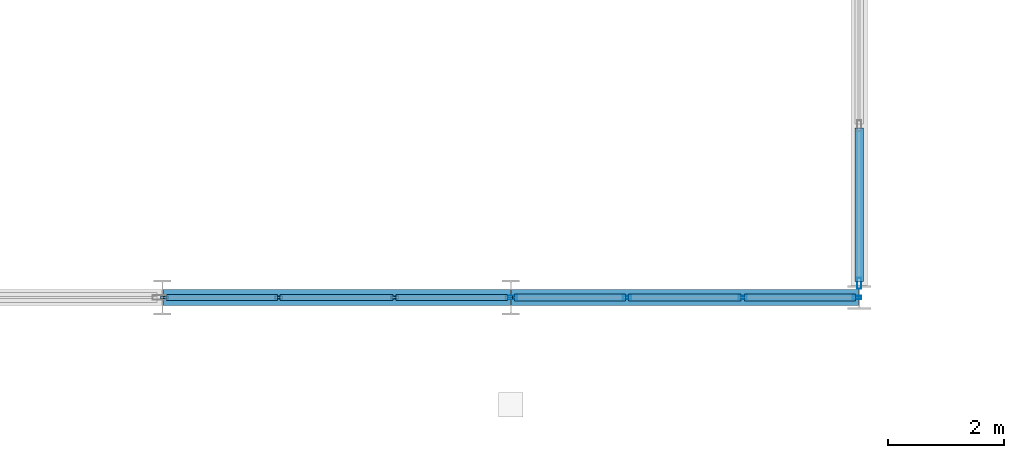
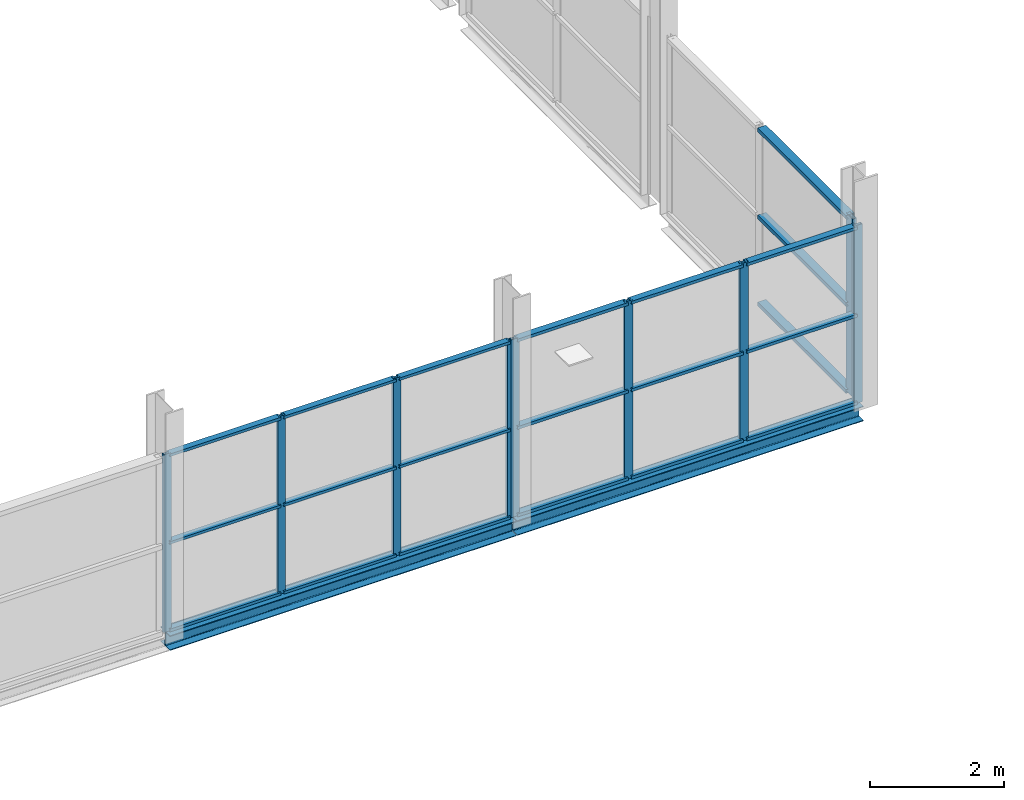
# One storey, part 31 of 135: 30 members, 2 beams, 3 elements without a shape of their own.
"""IFC4 building model written with IfcOpenShell, lengths in metres."""

from ifc_helpers import new_model, si_unit, direction, frame, origin, origin_2d, place, context, subcontext, project, spatial, hollow_rectangle, i_section, extrude, material, layer, layer_set, material_profile, profile_set, type_object, element, aggregate, save


model = new_model("IFC4")

# Units and contexts
model_context = context("Model", 3, precision=1e-05, world=origin(), true_north=direction((0.0, 1.0)))
body_context = subcontext(model_context, "Body", "Model", "MODEL_VIEW")
ifc_project = project(units=[si_unit("LENGTHUNIT", "METRE"), si_unit("AREAUNIT", "SQUARE_METRE"), si_unit("VOLUMEUNIT", "CUBIC_METRE"), si_unit("PLANEANGLEUNIT", "RADIAN"), si_unit("MASSUNIT", "GRAM", prefix="KILO")], contexts=[model_context])

# Site, building, storey
site_placement = place(None, origin())
site = spatial("IfcSite", under=ifc_project, at=site_placement, CompositionType="ELEMENT")
building_placement = place(site_placement, origin())
building = spatial("IfcBuilding", under=site, at=building_placement, Name="Deido Ridge Mobility Hub", CompositionType="ELEMENT")
storey_placement = place(building_placement, frame((0.0, 0.0, 4.199951171875)))
storey = spatial("IfcBuildingStorey", under=building, at=storey_placement, Name="L01", CompositionType="ELEMENT", Elevation=4.199951171875)

# Curtain wall, members
ifc_material_1 = material(Name="Anodised aluminium EN AW-6063 T6", Category="aluminium")
ifc_layer_1 = layer(ifc_material_1, 0.1650390625, Name="Anodised aluminium EN AW-6063 T6")
ifc_layer_set_1 = layer_set([ifc_layer_1], Name="Anodised aluminium EN AW-6063 T6")
curtain_wall_type_1 = type_object("IfcCurtainWallType", Name="CW-UF-1", PredefinedType="USERDEFINED", material=ifc_layer_set_1)
curtain_wall_1_placement = place(storey_placement, origin())
curtain_wall_1 = element("IfcCurtainWall", 1, at=curtain_wall_1_placement, inside=storey, type_object=curtain_wall_type_1, Name="Unitised curtain wall CW1", ObjectType="UNITISED FACADE", PredefinedType="USERDEFINED")
ifc_material_profile_1 = material_profile(ifc_material_1, hollow_rectangle(XDim=0.050048828125, YDim=0.1298828125, WallThickness=0.00390625, at=origin_2d()), Name="RHS 50x130x4")
ifc_profile_set_1 = profile_set([ifc_material_profile_1], Name="Anodised aluminium EN AW-6063 T6")
member_type_1 = type_object("IfcMemberType", Name="MEM-MUL-50X130", PredefinedType="MULLION", material=ifc_profile_set_1)
member_1_placement = place(storey_placement, frame((48.03271484375, 0.0, 0.0), z_axis=(0.0, 0.0, 1.0), x_axis=(0.0, 1.0, 0.0)))
member_1 = element("IfcMember", 2, at=member_1_placement, type_object=member_type_1, Name="CW1 mullion 1", PredefinedType="MULLION", context=body_context, shape_type="SweptSolid", body=[
    extrude(hollow_rectangle(XDim=0.050048828125, YDim=0.1298828125, WallThickness=0.00390625, at=origin_2d()), origin(), (0.0, 0.0, 1.0), 3.25),
])
member_2_placement = place(storey_placement, frame((50.002685546875, 0.0, 0.0), z_axis=(0.0, 0.0, 1.0), x_axis=(0.0, 1.0, 0.0)))
member_2 = element("IfcMember", 3, at=member_2_placement, type_object=member_type_1, Name="CW1 mullion 2", PredefinedType="MULLION", context=body_context, shape_type="SweptSolid", body=[
    extrude(hollow_rectangle(XDim=0.050048828125, YDim=0.1298828125, WallThickness=0.00390625, at=origin_2d()), origin(), (0.0, 0.0, 1.0), 3.25),
])
member_3_placement = place(storey_placement, frame((51.997314453125, 0.0, 0.0), z_axis=(0.0, 0.0, 1.0), x_axis=(0.0, 1.0, 0.0)))
member_3 = element("IfcMember", 4, at=member_3_placement, type_object=member_type_1, Name="CW1 mullion 3", PredefinedType="MULLION", context=body_context, shape_type="SweptSolid", body=[
    extrude(hollow_rectangle(XDim=0.050048828125, YDim=0.1298828125, WallThickness=0.00390625, at=origin_2d()), origin(), (0.0, 0.0, 1.0), 3.25),
])
member_4_placement = place(storey_placement, frame((53.96728515625, 0.0, 0.0), z_axis=(0.0, 0.0, 1.0), x_axis=(0.0, 1.0, 0.0)))
member_4 = element("IfcMember", 5, at=member_4_placement, type_object=member_type_1, Name="CW1 mullion 4", PredefinedType="MULLION", context=body_context, shape_type="SweptSolid", body=[
    extrude(hollow_rectangle(XDim=0.050048828125, YDim=0.1298828125, WallThickness=0.00390625, at=origin_2d()), origin(), (0.0, 0.0, 1.0), 3.25),
])

ifc_layer_2 = layer(ifc_material_1, 0.179931640625, Name="Anodised aluminium EN AW-6063 T6")
ifc_layer_set_2 = layer_set([ifc_layer_2], Name="Anodised aluminium EN AW-6063 T6")
curtain_wall_type_2 = type_object("IfcCurtainWallType", Name="CW-UF-2", PredefinedType="USERDEFINED", material=ifc_layer_set_2)
curtain_wall_2_placement = place(storey_placement, origin())
curtain_wall_2 = element("IfcCurtainWall", 6, at=curtain_wall_2_placement, inside=storey, type_object=curtain_wall_type_2, Name="Unitised curtain wall CW2", ObjectType="UNITISED FACADE", PredefinedType="USERDEFINED")
ifc_material_profile_2 = material_profile(ifc_material_1, hollow_rectangle(XDim=0.054931640625, YDim=0.14501953125, WallThickness=0.00390625, at=origin_2d()), Name="RHS 55x145x4")
ifc_profile_set_2 = profile_set([ifc_material_profile_2], Name="Anodised aluminium EN AW-6063 T6")
member_type_2 = type_object("IfcMemberType", Name="MEM-MUL-55X145", PredefinedType="MULLION", material=ifc_profile_set_2)
member_5_placement = place(storey_placement, frame((54.035400390625, 0.0, 0.0), z_axis=(0.0, 0.0, 1.0), x_axis=(0.0, 1.0, 0.0)))
member_5 = element("IfcMember", 7, at=member_5_placement, type_object=member_type_2, Name="CW2 mullion 1", PredefinedType="MULLION", context=body_context, shape_type="SweptSolid", body=[
    extrude(hollow_rectangle(XDim=0.054931640625, YDim=0.14501953125, WallThickness=0.00390625, at=origin_2d()), origin(), (0.0, 0.0, 1.0), 3.25),
])
member_6_placement = place(storey_placement, frame((56.001220703125, 0.0, 0.0), z_axis=(0.0, 0.0, 1.0), x_axis=(0.0, 1.0, 0.0)))
member_6 = element("IfcMember", 8, at=member_6_placement, type_object=member_type_2, Name="CW2 mullion 2", PredefinedType="MULLION", context=body_context, shape_type="SweptSolid", body=[
    extrude(hollow_rectangle(XDim=0.054931640625, YDim=0.14501953125, WallThickness=0.00390625, at=origin_2d()), origin(), (0.0, 0.0, 1.0), 3.25),
])
member_7_placement = place(storey_placement, frame((57.99462890625, 0.0, 0.0), z_axis=(0.0, 0.0, 1.0), x_axis=(0.0, 1.0, 0.0)))
member_7 = element("IfcMember", 9, at=member_7_placement, type_object=member_type_2, Name="CW2 mullion 3", PredefinedType="MULLION", context=body_context, shape_type="SweptSolid", body=[
    extrude(hollow_rectangle(XDim=0.054931640625, YDim=0.14501953125, WallThickness=0.00390625, at=origin_2d()), origin(), (0.0, 0.0, 1.0), 3.25),
])
member_8_placement = place(storey_placement, frame((59.96044921875, 0.0, 0.0), z_axis=(0.0, 0.0, 1.0), x_axis=(0.0, 1.0, 0.0)))
member_8 = element("IfcMember", 10, at=member_8_placement, type_object=member_type_2, Name="CW2 mullion 4", PredefinedType="MULLION", context=body_context, shape_type="SweptSolid", body=[
    extrude(hollow_rectangle(XDim=0.054931640625, YDim=0.14501953125, WallThickness=0.00390625, at=origin_2d()), origin(), (0.0, 0.0, 1.0), 3.25),
])

# Curtain wall, member
ifc_layer_3 = layer(ifc_material_1, 0.239990234375, Name="Anodised aluminium EN AW-6063 T6")
ifc_layer_set_3 = layer_set([ifc_layer_3], Name="Anodised aluminium EN AW-6063 T6")
curtain_wall_type_3 = type_object("IfcCurtainWallType", Name="CW-UF-6", PredefinedType="USERDEFINED", material=ifc_layer_set_3)
curtain_wall_3_placement = place(storey_placement, origin())
curtain_wall_3 = element("IfcCurtainWall", 11, at=curtain_wall_3_placement, inside=storey, type_object=curtain_wall_type_3, Name="Unitised curtain wall CW6", ObjectType="UNITISED FACADE", PredefinedType="USERDEFINED")
ifc_material_profile_3 = material_profile(ifc_material_1, hollow_rectangle(XDim=0.070068359375, YDim=0.18994140625, WallThickness=0.00390625, at=origin_2d()), Name="RHS 70x190x4")
ifc_profile_set_3 = profile_set([ifc_material_profile_3], Name="Anodised aluminium EN AW-6063 T6")
member_type_3 = type_object("IfcMemberType", Name="MEM-MUL-70X190", PredefinedType="MULLION", material=ifc_profile_set_3)
member_9_placement = place(storey_placement, frame((60.0, 0.242919921875, 0.0), z_axis=(0.0, 0.0, 1.0), x_axis=(-1.0, 0.0, 0.0)))
member_9 = element("IfcMember", 12, at=member_9_placement, type_object=member_type_3, Name="CW6 mullion 1", PredefinedType="MULLION", context=body_context, shape_type="SweptSolid", body=[
    extrude(hollow_rectangle(XDim=0.070068359375, YDim=0.18994140625, WallThickness=0.00390625, at=origin_2d()), origin(), (0.0, 0.0, 1.0), 3.25),
])

# Member
ifc_material_profile_4 = material_profile(ifc_material_1, hollow_rectangle(XDim=0.10498046875, YDim=0.050048828125, WallThickness=0.00390625, at=origin_2d()), Name="RHS 105x50x4")
ifc_profile_set_4 = profile_set([ifc_material_profile_4], Name="Anodised aluminium EN AW-6063 T6")
member_type_4 = type_object("IfcMemberType", Name="MEM-TRN-105X50", PredefinedType="USERDEFINED", material=ifc_profile_set_4)
member_10_placement = place(storey_placement, frame((48.057861328125, 0.0, 0.025146484375), z_axis=(1.0, 0.0, 0.0), x_axis=(0.0, 1.0, 0.0)))
member_10 = element("IfcMember", 13, at=member_10_placement, type_object=member_type_4, Name="CW1 transom 1.1", ObjectType="TRANSOM", PredefinedType="USERDEFINED", context=body_context, shape_type="SweptSolid", body=[
    extrude(hollow_rectangle(XDim=0.10498046875, YDim=0.050048828125, WallThickness=0.00390625, at=origin_2d()), origin(), (0.0, 0.0, 1.0), 1.919677734375),
])

member_11_placement = place(storey_placement, frame((48.057861328125, 0.0, 1.625), z_axis=(1.0, 0.0, 0.0), x_axis=(0.0, 1.0, 0.0)))
member_11 = element("IfcMember", 14, at=member_11_placement, type_object=member_type_4, Name="CW1 transom 1.2", ObjectType="TRANSOM", PredefinedType="USERDEFINED", context=body_context, shape_type="SweptSolid", body=[
    extrude(hollow_rectangle(XDim=0.10498046875, YDim=0.050048828125, WallThickness=0.00390625, at=origin_2d()), origin(), (0.0, 0.0, 1.0), 1.919677734375),
])

member_12_placement = place(storey_placement, frame((48.057861328125, 0.0, 3.22509765625), z_axis=(1.0, 0.0, 0.0), x_axis=(0.0, 1.0, 0.0)))
member_12 = element("IfcMember", 15, at=member_12_placement, type_object=member_type_4, Name="CW1 transom 1.3", ObjectType="TRANSOM", PredefinedType="USERDEFINED", context=body_context, shape_type="SweptSolid", body=[
    extrude(hollow_rectangle(XDim=0.10498046875, YDim=0.050048828125, WallThickness=0.00390625, at=origin_2d()), origin(), (0.0, 0.0, 1.0), 1.919677734375),
])

member_13_placement = place(storey_placement, frame((50.027587890625, 0.0, 0.025146484375), z_axis=(1.0, 0.0, 0.0), x_axis=(0.0, 1.0, 0.0)))
member_13 = element("IfcMember", 16, at=member_13_placement, type_object=member_type_4, Name="CW1 transom 2.1", ObjectType="TRANSOM", PredefinedType="USERDEFINED", context=body_context, shape_type="SweptSolid", body=[
    extrude(hollow_rectangle(XDim=0.10498046875, YDim=0.050048828125, WallThickness=0.00390625, at=origin_2d()), origin(), (0.0, 0.0, 1.0), 1.94482421875),
])

member_14_placement = place(storey_placement, frame((50.027587890625, 0.0, 1.625), z_axis=(1.0, 0.0, 0.0), x_axis=(0.0, 1.0, 0.0)))
member_14 = element("IfcMember", 17, at=member_14_placement, type_object=member_type_4, Name="CW1 transom 2.2", ObjectType="TRANSOM", PredefinedType="USERDEFINED", context=body_context, shape_type="SweptSolid", body=[
    extrude(hollow_rectangle(XDim=0.10498046875, YDim=0.050048828125, WallThickness=0.00390625, at=origin_2d()), origin(), (0.0, 0.0, 1.0), 1.94482421875),
])

member_15_placement = place(storey_placement, frame((50.027587890625, 0.0, 3.22509765625), z_axis=(1.0, 0.0, 0.0), x_axis=(0.0, 1.0, 0.0)))
member_15 = element("IfcMember", 18, at=member_15_placement, type_object=member_type_4, Name="CW1 transom 2.3", ObjectType="TRANSOM", PredefinedType="USERDEFINED", context=body_context, shape_type="SweptSolid", body=[
    extrude(hollow_rectangle(XDim=0.10498046875, YDim=0.050048828125, WallThickness=0.00390625, at=origin_2d()), origin(), (0.0, 0.0, 1.0), 1.94482421875),
])

member_16_placement = place(storey_placement, frame((52.0224609375, 0.0, 0.025146484375), z_axis=(1.0, 0.0, 0.0), x_axis=(0.0, 1.0, 0.0)))
member_16 = element("IfcMember", 19, at=member_16_placement, type_object=member_type_4, Name="CW1 transom 3.1", ObjectType="TRANSOM", PredefinedType="USERDEFINED", context=body_context, shape_type="SweptSolid", body=[
    extrude(hollow_rectangle(XDim=0.10498046875, YDim=0.050048828125, WallThickness=0.00390625, at=origin_2d()), origin(), (0.0, 0.0, 1.0), 1.919677734375),
])

member_17_placement = place(storey_placement, frame((52.0224609375, 0.0, 1.625), z_axis=(1.0, 0.0, 0.0), x_axis=(0.0, 1.0, 0.0)))
member_17 = element("IfcMember", 20, at=member_17_placement, type_object=member_type_4, Name="CW1 transom 3.2", ObjectType="TRANSOM", PredefinedType="USERDEFINED", context=body_context, shape_type="SweptSolid", body=[
    extrude(hollow_rectangle(XDim=0.10498046875, YDim=0.050048828125, WallThickness=0.00390625, at=origin_2d()), origin(), (0.0, 0.0, 1.0), 1.919677734375),
])

member_18_placement = place(storey_placement, frame((52.0224609375, 0.0, 3.22509765625), z_axis=(1.0, 0.0, 0.0), x_axis=(0.0, 1.0, 0.0)))
member_18 = element("IfcMember", 21, at=member_18_placement, type_object=member_type_4, Name="CW1 transom 3.3", ObjectType="TRANSOM", PredefinedType="USERDEFINED", context=body_context, shape_type="SweptSolid", body=[
    extrude(hollow_rectangle(XDim=0.10498046875, YDim=0.050048828125, WallThickness=0.00390625, at=origin_2d()), origin(), (0.0, 0.0, 1.0), 1.919677734375),
])

aggregate(curtain_wall_1, [member_1, member_2, member_3, member_4, member_10, member_11, member_12, member_13, member_14, member_15, member_16, member_17, member_18])

ifc_material_profile_5 = material_profile(ifc_material_1, hollow_rectangle(XDim=0.114990234375, YDim=0.054931640625, WallThickness=0.00390625, at=origin_2d()), Name="RHS 115x55x4")
ifc_profile_set_5 = profile_set([ifc_material_profile_5], Name="Anodised aluminium EN AW-6063 T6")
member_type_5 = type_object("IfcMemberType", Name="MEM-TRN-115X55", PredefinedType="USERDEFINED", material=ifc_profile_set_5)
member_19_placement = place(storey_placement, frame((54.062744140625, 0.0, 0.027587890625), z_axis=(1.0, 0.0, 0.0), x_axis=(0.0, 1.0, 0.0)))
member_19 = element("IfcMember", 22, at=member_19_placement, type_object=member_type_5, Name="CW2 transom 1.1", ObjectType="TRANSOM", PredefinedType="USERDEFINED", context=body_context, shape_type="SweptSolid", body=[
    extrude(hollow_rectangle(XDim=0.114990234375, YDim=0.054931640625, WallThickness=0.00390625, at=origin_2d()), origin(), (0.0, 0.0, 1.0), 1.910888671875),
])

member_20_placement = place(storey_placement, frame((54.062744140625, 0.0, 1.625), z_axis=(1.0, 0.0, 0.0), x_axis=(0.0, 1.0, 0.0)))
member_20 = element("IfcMember", 23, at=member_20_placement, type_object=member_type_5, Name="CW2 transom 1.2", ObjectType="TRANSOM", PredefinedType="USERDEFINED", context=body_context, shape_type="SweptSolid", body=[
    extrude(hollow_rectangle(XDim=0.114990234375, YDim=0.054931640625, WallThickness=0.00390625, at=origin_2d()), origin(), (0.0, 0.0, 1.0), 1.910888671875),
])

member_21_placement = place(storey_placement, frame((54.062744140625, 0.0, 3.22265625), z_axis=(1.0, 0.0, 0.0), x_axis=(0.0, 1.0, 0.0)))
member_21 = element("IfcMember", 24, at=member_21_placement, type_object=member_type_5, Name="CW2 transom 1.3", ObjectType="TRANSOM", PredefinedType="USERDEFINED", context=body_context, shape_type="SweptSolid", body=[
    extrude(hollow_rectangle(XDim=0.114990234375, YDim=0.054931640625, WallThickness=0.00390625, at=origin_2d()), origin(), (0.0, 0.0, 1.0), 1.910888671875),
])

member_22_placement = place(storey_placement, frame((56.02880859375, 0.0, 0.027587890625), z_axis=(1.0, 0.0, 0.0), x_axis=(0.0, 1.0, 0.0)))
member_22 = element("IfcMember", 25, at=member_22_placement, type_object=member_type_5, Name="CW2 transom 2.1", ObjectType="TRANSOM", PredefinedType="USERDEFINED", context=body_context, shape_type="SweptSolid", body=[
    extrude(hollow_rectangle(XDim=0.114990234375, YDim=0.054931640625, WallThickness=0.00390625, at=origin_2d()), origin(), (0.0, 0.0, 1.0), 1.938232421875),
])

member_23_placement = place(storey_placement, frame((56.02880859375, 0.0, 1.625), z_axis=(1.0, 0.0, 0.0), x_axis=(0.0, 1.0, 0.0)))
member_23 = element("IfcMember", 26, at=member_23_placement, type_object=member_type_5, Name="CW2 transom 2.2", ObjectType="TRANSOM", PredefinedType="USERDEFINED", context=body_context, shape_type="SweptSolid", body=[
    extrude(hollow_rectangle(XDim=0.114990234375, YDim=0.054931640625, WallThickness=0.00390625, at=origin_2d()), origin(), (0.0, 0.0, 1.0), 1.938232421875),
])

member_24_placement = place(storey_placement, frame((56.02880859375, 0.0, 3.22265625), z_axis=(1.0, 0.0, 0.0), x_axis=(0.0, 1.0, 0.0)))
member_24 = element("IfcMember", 27, at=member_24_placement, type_object=member_type_5, Name="CW2 transom 2.3", ObjectType="TRANSOM", PredefinedType="USERDEFINED", context=body_context, shape_type="SweptSolid", body=[
    extrude(hollow_rectangle(XDim=0.114990234375, YDim=0.054931640625, WallThickness=0.00390625, at=origin_2d()), origin(), (0.0, 0.0, 1.0), 1.938232421875),
])

member_25_placement = place(storey_placement, frame((58.022216796875, 0.0, 0.027587890625), z_axis=(1.0, 0.0, 0.0), x_axis=(0.0, 1.0, 0.0)))
member_25 = element("IfcMember", 28, at=member_25_placement, type_object=member_type_5, Name="CW2 transom 3.1", ObjectType="TRANSOM", PredefinedType="USERDEFINED", context=body_context, shape_type="SweptSolid", body=[
    extrude(hollow_rectangle(XDim=0.114990234375, YDim=0.054931640625, WallThickness=0.00390625, at=origin_2d()), origin(), (0.0, 0.0, 1.0), 1.910888671875),
])

member_26_placement = place(storey_placement, frame((58.022216796875, 0.0, 1.625), z_axis=(1.0, 0.0, 0.0), x_axis=(0.0, 1.0, 0.0)))
member_26 = element("IfcMember", 29, at=member_26_placement, type_object=member_type_5, Name="CW2 transom 3.2", ObjectType="TRANSOM", PredefinedType="USERDEFINED", context=body_context, shape_type="SweptSolid", body=[
    extrude(hollow_rectangle(XDim=0.114990234375, YDim=0.054931640625, WallThickness=0.00390625, at=origin_2d()), origin(), (0.0, 0.0, 1.0), 1.910888671875),
])

member_27_placement = place(storey_placement, frame((58.022216796875, 0.0, 3.22265625), z_axis=(1.0, 0.0, 0.0), x_axis=(0.0, 1.0, 0.0)))
member_27 = element("IfcMember", 30, at=member_27_placement, type_object=member_type_5, Name="CW2 transom 3.3", ObjectType="TRANSOM", PredefinedType="USERDEFINED", context=body_context, shape_type="SweptSolid", body=[
    extrude(hollow_rectangle(XDim=0.114990234375, YDim=0.054931640625, WallThickness=0.00390625, at=origin_2d()), origin(), (0.0, 0.0, 1.0), 1.910888671875),
])

aggregate(curtain_wall_2, [member_5, member_6, member_7, member_8, member_19, member_20, member_21, member_22, member_23, member_24, member_25, member_26, member_27])

ifc_material_profile_6 = material_profile(ifc_material_1, hollow_rectangle(XDim=0.14501953125, YDim=0.070068359375, WallThickness=0.00390625, at=origin_2d()), Name="RHS 145x70x4")
ifc_profile_set_6 = profile_set([ifc_material_profile_6], Name="Anodised aluminium EN AW-6063 T6")
member_type_6 = type_object("IfcMemberType", Name="MEM-TRN-145X70", PredefinedType="USERDEFINED", material=ifc_profile_set_6)
member_28_placement = place(storey_placement, frame((60.0, 0.278076171875, 0.03515625), z_axis=(0.0, 1.0, 0.0), x_axis=(-1.0, 0.0, 0.0)))
member_28 = element("IfcMember", 31, at=member_28_placement, type_object=member_type_6, Name="CW6 transom 1.1", ObjectType="TRANSOM", PredefinedType="USERDEFINED", context=body_context, shape_type="SweptSolid", body=[
    extrude(hollow_rectangle(XDim=0.14501953125, YDim=0.070068359375, WallThickness=0.00390625, at=origin_2d()), origin(), (0.0, 0.0, 1.0), 2.640869140625),
])

member_29_placement = place(storey_placement, frame((60.0, 0.278076171875, 1.625), z_axis=(0.0, 1.0, 0.0), x_axis=(-1.0, 0.0, 0.0)))
member_29 = element("IfcMember", 32, at=member_29_placement, type_object=member_type_6, Name="CW6 transom 1.2", ObjectType="TRANSOM", PredefinedType="USERDEFINED", context=body_context, shape_type="SweptSolid", body=[
    extrude(hollow_rectangle(XDim=0.14501953125, YDim=0.070068359375, WallThickness=0.00390625, at=origin_2d()), origin(), (0.0, 0.0, 1.0), 2.640869140625),
])

member_30_placement = place(storey_placement, frame((60.0, 0.278076171875, 3.215087890625), z_axis=(0.0, 1.0, 0.0), x_axis=(-1.0, 0.0, 0.0)))
member_30 = element("IfcMember", 33, at=member_30_placement, type_object=member_type_6, Name="CW6 transom 1.3", ObjectType="TRANSOM", PredefinedType="USERDEFINED", context=body_context, shape_type="SweptSolid", body=[
    extrude(hollow_rectangle(XDim=0.14501953125, YDim=0.070068359375, WallThickness=0.00390625, at=origin_2d()), origin(), (0.0, 0.0, 1.0), 2.640869140625),
])

aggregate(curtain_wall_3, [member_9, member_28, member_29, member_30])

# Beams
ifc_material_2 = material(Name="Steel S355J2 EN 10025-2", Category="steel")
ifc_material_profile_7 = material_profile(ifc_material_2, i_section(OverallWidth=0.280029296875, OverallDepth=0.27001953125, WebThickness=0.008056640625, FlangeThickness=0.012939453125, FilletRadius=0.02392578125, at=origin_2d()), Name="HEA 280")
ifc_profile_set_7 = profile_set([ifc_material_profile_7], Name="Steel S355J2 EN 10025-2")
beam_type = type_object("IfcBeamType", Name="SPD-HEA280", PredefinedType="SPANDREL", material=ifc_profile_set_7)
beam_1_placement = place(storey_placement, frame((48.0078125, 0.0, -0.135009765625), z_axis=(1.0, 0.0, 0.0), x_axis=(0.0, 1.0, 0.0)))
element("IfcBeam", 34, at=beam_1_placement, inside=storey, type_object=beam_type, Name="Concourse perimeter wind girt SP2", PredefinedType="SPANDREL", context=body_context, shape_type="SweptSolid", body=[
    extrude(i_section(OverallWidth=0.280029296875, OverallDepth=0.27001953125, WebThickness=0.008056640625, FlangeThickness=0.012939453125, FilletRadius=0.02392578125, at=origin_2d()), origin(), (0.0, 0.0, 1.0), 5.984375),
])
beam_2_placement = place(storey_placement, frame((54.0078125, 0.0, -0.135009765625), z_axis=(1.0, 0.0, 0.0), x_axis=(0.0, 1.0, 0.0)))
element("IfcBeam", 35, at=beam_2_placement, inside=storey, type_object=beam_type, Name="Concourse perimeter wind girt SP2", PredefinedType="SPANDREL", context=body_context, shape_type="SweptSolid", body=[
    extrude(i_section(OverallWidth=0.280029296875, OverallDepth=0.27001953125, WebThickness=0.008056640625, FlangeThickness=0.012939453125, FilletRadius=0.02392578125, at=origin_2d()), origin(), (0.0, 0.0, 1.0), 5.980224609375),
])

save(model, "model.ifc")
